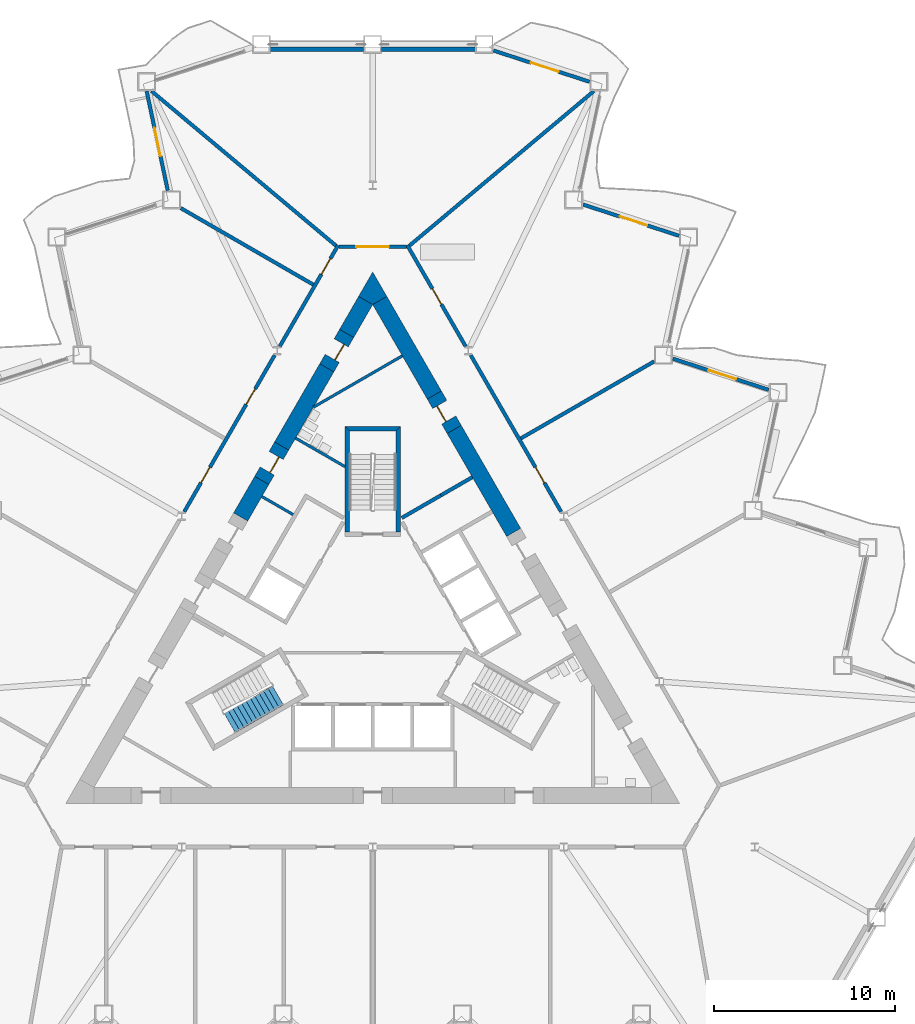
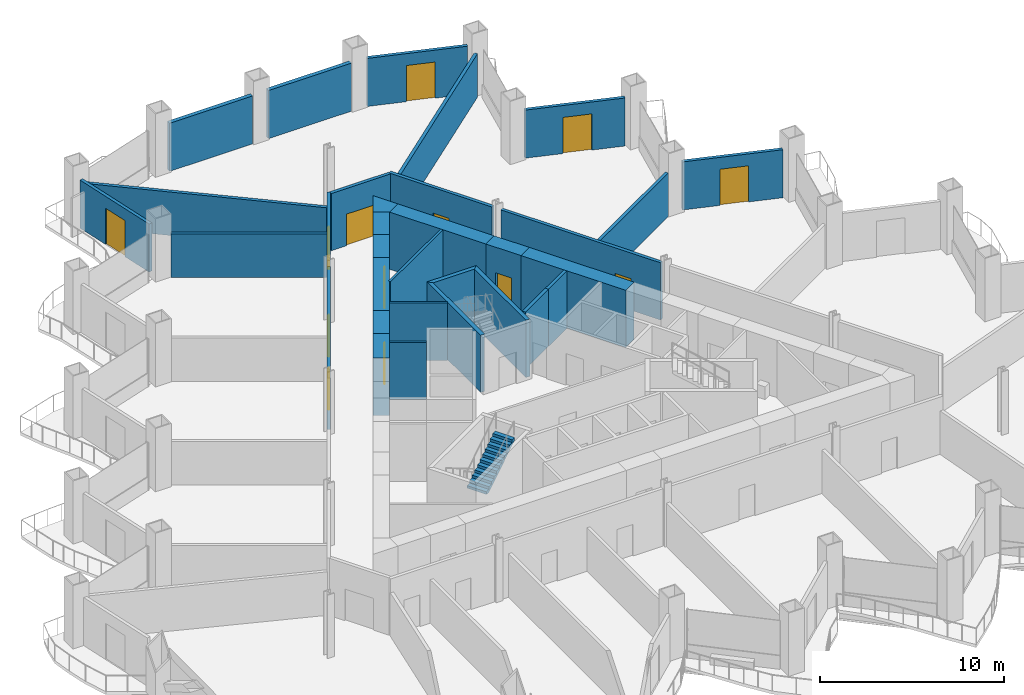
# One storey, part 12 of 21: 32 walls, 13 doors, 1 stair flight, 13 openings, 1 element without a shape of its own.
"""IFC4 building model written with IfcOpenShell, lengths in metres."""

from ifc_helpers import new_model, si_unit, direction, frame, frame_2d, origin, place, context, subcontext, project, spatial, polyline, rectangle, outline, extrude, material, layer, layer_set, type_object, element, fill, aggregate, save


model = new_model("IFC4")

# Units and contexts
model_context = context("Model", 3, precision=1e-05, world=origin(), true_north=direction((0.0, 1.0)))
body_context = subcontext(model_context, "Body", "Model", "MODEL_VIEW")
ifc_project = project(units=[si_unit("LENGTHUNIT", "METRE"), si_unit("AREAUNIT", "SQUARE_METRE"), si_unit("VOLUMEUNIT", "CUBIC_METRE"), si_unit("PLANEANGLEUNIT", "RADIAN"), si_unit("MASSUNIT", "GRAM", prefix="KILO")], contexts=[model_context])

# Site, building, storey
site_placement = place(None, origin())
site = spatial("IfcSite", under=ifc_project, at=site_placement, CompositionType="ELEMENT")
building_placement = place(site_placement, origin())
building = spatial("IfcBuilding", under=site, at=building_placement, Name="Cormorant Prow Tower", CompositionType="ELEMENT")
storey_placement = place(building_placement, frame((0.0, 0.0, 72.0)))
storey = spatial("IfcBuildingStorey", under=building, at=storey_placement, Name="L15", CompositionType="ELEMENT", Elevation=72.0)

# Walls
ifc_material_1 = material(Name="Gypsum board partition")
ifc_layer_1 = layer(ifc_material_1, 0.14990234375)
ifc_layer_set_1 = layer_set([ifc_layer_1], Name="Gypsum board partition")
wall_type_1 = type_object("IfcWallType", Name="Core partition 150", PredefinedType="PARTITIONING", material=ifc_layer_set_1)
wall_1_placement = place(storey_placement, frame((-6.139404296875, 7.196044921875, 0.0), z_axis=(0.0, 0.0, 1.0), x_axis=(0.866035824272, -0.499981950752, 0.0)))
element("IfcWall", 1, at=wall_1_placement, inside=storey, type_object=wall_type_1, Name="Service room partition", PredefinedType="PARTITIONING", context=body_context, shape_type="SweptSolid", body=[
    extrude(rectangle(XDim=2.0087890625, YDim=0.14990234375, at=frame_2d((1.00439453125, 0.0))), origin(), (0.0, 0.0, 1.0), 3.800048828125),
])
wall_2_placement = place(storey_placement, frame((-4.271240234375, 10.431640625, 0.0), z_axis=(0.0, 0.0, 1.0), x_axis=(0.866018279777, -0.50001233894, 0.0)))
element("IfcWall", 2, at=wall_2_placement, inside=storey, type_object=wall_type_1, Name="Service room partition", PredefinedType="PARTITIONING", context=body_context, shape_type="SweptSolid", body=[
    extrude(rectangle(XDim=3.1591796875, YDim=0.14990234375, at=frame_2d((1.57958984375, 0.0))), origin(), (0.0, 0.0, 1.0), 3.800048828125),
])
wall_3_placement = place(storey_placement, frame((1.64111328125, 14.9873046875, 0.0), z_axis=(0.0, 0.0, 1.0), x_axis=(-0.86602253128, -0.50000497529, 0.0)))
element("IfcWall", 3, at=wall_3_placement, inside=storey, type_object=wall_type_1, Name="Service room partition", PredefinedType="PARTITIONING", context=body_context, shape_type="SweptSolid", body=[
    extrude(rectangle(XDim=5.68505859375, YDim=0.14990234375, at=frame_2d((2.842529296875, 0.0))), origin(), (0.0, 0.0, 1.0), 3.800048828125),
])
ifc_material_2 = material(Name="Concrete 8000 psi", Category="concrete")
ifc_layer_2 = layer(ifc_material_2, 0.89990234375)
ifc_layer_set_2 = layer_set([ifc_layer_2], Name="Concrete 8000 psi")
wall_type_2 = type_object("IfcWallType", Name="Core shear wall 900", PredefinedType="SHEAR", material=ifc_layer_set_2)
wall_4_placement = place(storey_placement, frame((7.80712890625, 5.20751953125, 0.0), z_axis=(0.0, 0.0, 1.0), x_axis=(-0.499986664161, 0.866033103098, 0.0)))
element("IfcWall", 4, at=wall_4_placement, inside=storey, type_object=wall_type_2, Name="Core wall", PredefinedType="SHEAR", context=body_context, shape_type="SweptSolid", body=[
    extrude(rectangle(XDim=6.585693359375, YDim=0.89990234375, at=frame_2d((3.29296875, 0.0))), origin(), (0.0, 0.0, 1.0), 3.800048828125),
])
wall_5_placement = place(storey_placement, frame((3.414306640625, 12.816162109375, 0.0), z_axis=(0.0, 0.0, 1.0), x_axis=(-0.500006596359, 0.866021595341, 0.0)))
element("IfcWall", 5, at=wall_5_placement, inside=storey, type_object=wall_type_2, Name="Core wall", PredefinedType="SHEAR", context=body_context, shape_type="SweptSolid", body=[
    extrude(rectangle(XDim=6.04931640625, YDim=0.89990234375, at=frame_2d((3.024658203125, 0.0))), origin(), (0.0, 0.0, 1.0), 3.800048828125),
])
wall_6_placement = place(storey_placement, frame((-2.54345703125, 14.32470703125, 0.0), z_axis=(0.0, 0.0, 1.0), x_axis=(-0.500006859004, -0.866021443701, 0.0)))
element("IfcWall", 6, at=wall_6_placement, inside=storey, type_object=wall_type_2, Name="Core wall", PredefinedType="SHEAR", context=body_context, shape_type="SweptSolid", body=[
    extrude(rectangle(XDim=5.00341796875, YDim=0.89990234375, at=frame_2d((2.501708984375, 0.0))), origin(), (0.0, 0.0, 1.0), 3.800048828125),
])
wall_7_placement = place(storey_placement, frame((-6.14501953125, 8.086181640625, 0.0), z_axis=(0.0, 0.0, 1.0), x_axis=(-0.500026924946, -0.866009858102, 0.0)))
element("IfcWall", 7, at=wall_7_placement, inside=storey, type_object=wall_type_2, Name="Core wall", PredefinedType="SHEAR", context=body_context, shape_type="SweptSolid", body=[
    extrude(rectangle(XDim=2.336669921875, YDim=0.89990234375, at=frame_2d((1.16845703125, 0.0))), origin(), (0.0, 0.0, 1.0), 3.800048828125),
])
wall_8_placement = place(storey_placement, frame((-0.3896484375, 18.054931640625, 0.0), z_axis=(0.0, 0.0, 1.0), x_axis=(-0.500026652407, -0.866010015463, 0.0)))
element("IfcWall", 8, at=wall_8_placement, inside=storey, type_object=wall_type_2, Name="Core wall", PredefinedType="SHEAR", context=body_context, shape_type="SweptSolid", body=[
    extrude(rectangle(XDim=2.107421875, YDim=0.89990234375, at=frame_2d((1.0537109375, 0.0))), origin(), (0.0, 0.0, 1.0), 3.800048828125),
])
wall_9_placement = place(storey_placement, origin())
element("IfcWall", 9, at=wall_9_placement, inside=storey, type_object=wall_type_2, Name="Core wall corner", PredefinedType="SHEAR", context=body_context, shape_type="SweptSolid", body=[
    extrude(outline(polyline([(-0.779296875, 18.27978515625), (0.0, 19.6298828125), (0.779296875, 18.27978515625), (0.0, 17.829833984375), (-0.779296875, 18.27978515625)])), origin(), (0.0, 0.0, 1.0), 3.800048828125),
])

# Wall, opening, door
wall_10_placement = place(storey_placement, frame((-5.045166015625, 9.99169921875, 0.0), z_axis=(0.0, 0.0, 1.0), x_axis=(-0.499898558967, -0.866083962871, 0.0)))
wall_10 = element("IfcWall", 10, at=wall_10_placement, inside=storey, type_object=wall_type_2, Name="Core wall door panel", PredefinedType="SHEAR", context=body_context, shape_type="SweptSolid", body=[
    extrude(rectangle(XDim=2.2001953125, YDim=0.89990234375, at=frame_2d((1.10009765625, 0.0))), origin(), (0.0, 0.0, 1.0), 3.800048828125),
])
opening_1_placement = place(wall_10_placement, frame((0.60009765625, 0.0, 0.0)))
opening_1 = element("IfcOpeningElement", 11, at=opening_1_placement, cuts=wall_10, Name="Opening L15-C22", PredefinedType="OPENING", context=body_context, shape_type="SweptSolid", body=[
    extrude(rectangle(XDim=1.0, YDim=2.10009765625, at=frame_2d((0.5, 1.050048828125))), frame((0.0, 0.4599609375, 0.0), z_axis=(0.0, -1.0, 0.0), x_axis=(1.0, 0.0, 0.0)), (0.0, 0.0, 1.0), 0.919921875),
])
ifc_material_3 = material(Name="Painted steel", Category="steel")
door_type_1 = type_object("IfcDoorType", Name="Service door 1000x2100", OperationType="NOTDEFINED", PredefinedType="DOOR", material=ifc_material_3)
door_1_placement = place(opening_1_placement, origin())
door_1 = element("IfcDoor", 12, at=door_1_placement, inside=storey, type_object=door_type_1, Name="Core door, Housekeeping store", OperationType="SINGLE_SWING_RIGHT", OverallHeight=2.10009765625, OverallWidth=1.0, PredefinedType="DOOR", context=body_context, shape_type="SweptSolid", body=[
    extrude(rectangle(XDim=1.0, YDim=2.10009765625, at=frame_2d((0.5, 1.050048828125))), frame((0.0, 0.205078125, 0.0), z_axis=(0.0, -1.0, 0.0), x_axis=(1.0, 0.0, 0.0)), (0.0, 0.0, 1.0), 0.050048828125),
])
fill(opening_1, door_1)

wall_11_placement = place(storey_placement, frame((4.514404296875, 10.910888671875, 0.0), z_axis=(0.0, 0.0, 1.0), x_axis=(-0.50002983664, 0.866008176907, 0.0)))
wall_11 = element("IfcWall", 13, at=wall_11_placement, inside=storey, type_object=wall_type_2, Name="Core wall door panel", PredefinedType="SHEAR", context=body_context, shape_type="SweptSolid", body=[
    extrude(rectangle(XDim=2.199951171875, YDim=0.89990234375, at=frame_2d((1.10009765625, 0.0))), origin(), (0.0, 0.0, 1.0), 3.800048828125),
])
opening_2_placement = place(wall_11_placement, frame((0.60009765625, 0.0, 0.0)))
opening_2 = element("IfcOpeningElement", 14, at=opening_2_placement, cuts=wall_11, Name="Opening L15-C23", PredefinedType="OPENING", context=body_context, shape_type="SweptSolid", body=[
    extrude(rectangle(XDim=1.0, YDim=2.10009765625, at=frame_2d((0.5, 1.050048828125))), frame((0.0, 0.4599609375, 0.0), z_axis=(0.0, -1.0, 0.0), x_axis=(1.0, 0.0, 0.0)), (0.0, 0.0, 1.0), 0.919921875),
])
door_2_placement = place(opening_2_placement, origin())
door_2 = element("IfcDoor", 15, at=door_2_placement, inside=storey, type_object=door_type_1, Name="Core door, Toilets (women) L15", OperationType="SINGLE_SWING_RIGHT", OverallHeight=2.10009765625, OverallWidth=1.0, PredefinedType="DOOR", context=body_context, shape_type="SweptSolid", body=[
    extrude(rectangle(XDim=1.0, YDim=2.10009765625, at=frame_2d((0.5, 1.050048828125))), frame((0.0, 0.205078125, 0.0), z_axis=(0.0, -1.0, 0.0), x_axis=(1.0, 0.0, 0.0)), (0.0, 0.0, 1.0), 0.050048828125),
])
fill(opening_2, door_2)

wall_12_placement = place(storey_placement, frame((-1.443359375, 16.22998046875, 0.0), z_axis=(0.0, 0.0, 1.0), x_axis=(-0.50002983664, -0.866008176907, 0.0)))
wall_12 = element("IfcWall", 16, at=wall_12_placement, inside=storey, type_object=wall_type_2, Name="Core wall door panel", PredefinedType="SHEAR", context=body_context, shape_type="SweptSolid", body=[
    extrude(rectangle(XDim=2.199951171875, YDim=0.89990234375, at=frame_2d((1.10009765625, 0.0))), origin(), (0.0, 0.0, 1.0), 3.800048828125),
])
opening_3_placement = place(wall_12_placement, frame((0.60009765625, 0.0, 0.0)))
opening_3 = element("IfcOpeningElement", 17, at=opening_3_placement, cuts=wall_12, Name="Opening L15-C24", PredefinedType="OPENING", context=body_context, shape_type="SweptSolid", body=[
    extrude(rectangle(XDim=1.0, YDim=2.10009765625, at=frame_2d((0.5, 1.050048828125))), frame((0.0, 0.4599609375, 0.0), z_axis=(0.0, -1.0, 0.0), x_axis=(1.0, 0.0, 0.0)), (0.0, 0.0, 1.0), 0.919921875),
])
door_3_placement = place(opening_3_placement, origin())
door_3 = element("IfcDoor", 18, at=door_3_placement, inside=storey, type_object=door_type_1, Name="Core door, Linen store", OperationType="SINGLE_SWING_LEFT", OverallHeight=2.10009765625, OverallWidth=1.0, PredefinedType="DOOR", context=body_context, shape_type="SweptSolid", body=[
    extrude(rectangle(XDim=1.0, YDim=2.10009765625, at=frame_2d((0.5, 1.050048828125))), frame((0.0, 0.205078125, 0.0), z_axis=(0.0, -1.0, 0.0), x_axis=(1.0, 0.0, 0.0)), (0.0, 0.0, 1.0), 0.050048828125),
])
fill(opening_3, door_3)

# Wall, openings, doors
ifc_material_4 = material(Name="Gypsum board corridor wall")
ifc_layer_3 = layer(ifc_material_4, 0.199951171875)
ifc_layer_set_3 = layer_set([ifc_layer_3], Name="Gypsum board corridor wall")
wall_type_3 = type_object("IfcWallType", Name="Corridor wall 200", PredefinedType="PARTITIONING", material=ifc_layer_set_3)
wall_13_placement = place(storey_placement, frame((-10.438720703125, 6.349853515625, 0.0), z_axis=(0.0, 0.0, 1.0), x_axis=(0.50001002959, 0.86601961312, 0.0)))
wall_13 = element("IfcWall", 19, at=wall_13_placement, inside=storey, type_object=wall_type_3, Name="Corridor wall", PredefinedType="PARTITIONING", context=body_context, shape_type="SweptSolid", body=[
    extrude(rectangle(XDim=10.018798828125, YDim=0.199951171875, at=frame_2d((5.00927734375, 0.0))), origin(), (0.0, 0.0, 1.0), 3.800048828125),
])
opening_4_placement = place(wall_13_placement, frame((6.86474609375, 0.0, 0.0)))
opening_4 = element("IfcOpeningElement", 20, at=opening_4_placement, cuts=wall_13, Name="Opening L15-F13", PredefinedType="OPENING", context=body_context, shape_type="SweptSolid", body=[
    extrude(rectangle(XDim=1.0, YDim=2.10009765625, at=frame_2d((0.5, 1.050048828125))), frame((0.0, 0.10986328125, 0.0), z_axis=(0.0, -1.0, 0.0), x_axis=(1.0, 0.0, 0.0)), (0.0, 0.0, 1.0), 0.219970703125),
])
opening_5_placement = place(wall_13_placement, frame((1.853515625, 0.0, 0.0)))
opening_5 = element("IfcOpeningElement", 21, at=opening_5_placement, cuts=wall_13, Name="Opening L15-F14", PredefinedType="OPENING", context=body_context, shape_type="SweptSolid", body=[
    extrude(rectangle(XDim=1.0, YDim=2.10009765625, at=frame_2d((0.5, 1.050048828125))), frame((0.0, 0.10986328125, 0.0), z_axis=(0.0, -1.0, 0.0), x_axis=(1.0, 0.0, 0.0)), (0.0, 0.0, 1.0), 0.219970703125),
])
ifc_material_5 = material(Name="Timber door leaf", Category="wood")
door_type_2 = type_object("IfcDoorType", Name="Office door 1000x2100", OperationType="NOTDEFINED", PredefinedType="DOOR", material=ifc_material_5)
door_4_placement = place(opening_4_placement, origin())
door_4 = element("IfcDoor", 22, at=door_4_placement, inside=storey, type_object=door_type_2, Name="Tenant suite door", OperationType="SINGLE_SWING_RIGHT", OverallHeight=2.10009765625, OverallWidth=1.0, PredefinedType="DOOR", context=body_context, shape_type="SweptSolid", body=[
    extrude(rectangle(XDim=1.0, YDim=2.10009765625, at=frame_2d((0.5, 1.050048828125))), frame((0.0, 0.02490234375, 0.0), z_axis=(0.0, -1.0, 0.0), x_axis=(1.0, 0.0, 0.0)), (0.0, 0.0, 1.0), 0.050048828125),
])
fill(opening_4, door_4)
door_5_placement = place(opening_5_placement, origin())
door_5 = element("IfcDoor", 23, at=door_5_placement, inside=storey, type_object=door_type_2, Name="Tenant suite door", OperationType="SINGLE_SWING_LEFT", OverallHeight=2.10009765625, OverallWidth=1.0, PredefinedType="DOOR", context=body_context, shape_type="SweptSolid", body=[
    extrude(rectangle(XDim=1.0, YDim=2.10009765625, at=frame_2d((0.5, 1.050048828125))), frame((0.0, 0.02490234375, 0.0), z_axis=(0.0, -1.0, 0.0), x_axis=(1.0, 0.0, 0.0)), (0.0, 0.0, 1.0), 0.050048828125),
])
fill(opening_5, door_5)

# Wall, opening, door
wall_14_placement = place(storey_placement, frame((5.42919921875, 15.0263671875, 0.0), z_axis=(0.0, 0.0, 1.0), x_axis=(0.50001002959, -0.86601961312, 0.0)))
wall_14 = element("IfcWall", 24, at=wall_14_placement, inside=storey, type_object=wall_type_3, Name="Corridor wall", PredefinedType="PARTITIONING", context=body_context, shape_type="SweptSolid", body=[
    extrude(rectangle(XDim=10.018798828125, YDim=0.199951171875, at=frame_2d((5.00927734375, 0.0))), origin(), (0.0, 0.0, 1.0), 3.800048828125),
])
opening_6_placement = place(wall_14_placement, frame((7.165283203125, 0.0, 0.0)))
opening_6 = element("IfcOpeningElement", 25, at=opening_6_placement, cuts=wall_14, Name="Opening L15-F09", PredefinedType="OPENING", context=body_context, shape_type="SweptSolid", body=[
    extrude(rectangle(XDim=1.0, YDim=2.10009765625, at=frame_2d((0.5, 1.050048828125))), frame((0.0, 0.10986328125, 0.0), z_axis=(0.0, -1.0, 0.0), x_axis=(1.0, 0.0, 0.0)), (0.0, 0.0, 1.0), 0.219970703125),
])
door_6_placement = place(opening_6_placement, origin())
door_6 = element("IfcDoor", 26, at=door_6_placement, inside=storey, type_object=door_type_2, Name="Tenant suite door", OperationType="SINGLE_SWING_RIGHT", OverallHeight=2.10009765625, OverallWidth=1.0, PredefinedType="DOOR", context=body_context, shape_type="SweptSolid", body=[
    extrude(rectangle(XDim=1.0, YDim=2.10009765625, at=frame_2d((0.5, 1.050048828125))), frame((0.0, 0.02490234375, 0.0), z_axis=(0.0, -1.0, 0.0), x_axis=(1.0, 0.0, 0.0)), (0.0, 0.0, 1.0), 0.050048828125),
])
fill(opening_6, door_6)

wall_15_placement = place(storey_placement, frame((1.9130859375, 21.116455078125, 0.0), z_axis=(0.0, 0.0, 1.0), x_axis=(0.500001069878, -0.866024786089, 0.0)))
wall_15 = element("IfcWall", 27, at=wall_15_placement, inside=storey, type_object=wall_type_3, Name="Corridor wall", PredefinedType="PARTITIONING", context=body_context, shape_type="SweptSolid", body=[
    extrude(rectangle(XDim=6.47265625, YDim=0.199951171875, at=frame_2d((3.236328125, 0.0))), origin(), (0.0, 0.0, 1.0), 3.800048828125),
])
opening_7_placement = place(wall_15_placement, frame((2.787109375, 0.0, 0.0)))
opening_7 = element("IfcOpeningElement", 28, at=opening_7_placement, cuts=wall_15, Name="Opening L15-F10", PredefinedType="OPENING", context=body_context, shape_type="SweptSolid", body=[
    extrude(rectangle(XDim=1.0, YDim=2.10009765625, at=frame_2d((0.5, 1.050048828125))), frame((0.0, 0.10986328125, 0.0), z_axis=(0.0, -1.0, 0.0), x_axis=(1.0, 0.0, 0.0)), (0.0, 0.0, 1.0), 0.219970703125),
])
door_7_placement = place(opening_7_placement, origin())
door_7 = element("IfcDoor", 29, at=door_7_placement, inside=storey, type_object=door_type_2, Name="Tenant reception door", OperationType="SINGLE_SWING_RIGHT", OverallHeight=2.10009765625, OverallWidth=1.0, PredefinedType="DOOR", context=body_context, shape_type="SweptSolid", body=[
    extrude(rectangle(XDim=1.0, YDim=2.10009765625, at=frame_2d((0.5, 1.050048828125))), frame((0.0, 0.02490234375, 0.0), z_axis=(0.0, -1.0, 0.0), x_axis=(1.0, 0.0, 0.0)), (0.0, 0.0, 1.0), 0.050048828125),
])
fill(opening_7, door_7)

wall_16_placement = place(storey_placement, frame((-5.1494140625, 15.510986328125, 0.0), z_axis=(0.0, 0.0, 1.0), x_axis=(0.500001069878, 0.866024786089, 0.0)))
wall_16 = element("IfcWall", 30, at=wall_16_placement, inside=storey, type_object=wall_type_3, Name="Corridor wall", PredefinedType="PARTITIONING", context=body_context, shape_type="SweptSolid", body=[
    extrude(rectangle(XDim=6.47265625, YDim=0.199951171875, at=frame_2d((3.236328125, 0.0))), origin(), (0.0, 0.0, 1.0), 3.800048828125),
])
opening_8_placement = place(wall_16_placement, frame((4.61376953125, 0.0, 0.0)))
opening_8 = element("IfcOpeningElement", 31, at=opening_8_placement, cuts=wall_16, Name="Opening L15-F12", PredefinedType="OPENING", context=body_context, shape_type="SweptSolid", body=[
    extrude(rectangle(XDim=1.0, YDim=2.10009765625, at=frame_2d((0.5, 1.050048828125))), frame((0.0, 0.10986328125, 0.0), z_axis=(0.0, -1.0, 0.0), x_axis=(1.0, 0.0, 0.0)), (0.0, 0.0, 1.0), 0.219970703125),
])
door_8_placement = place(opening_8_placement, origin())
door_8 = element("IfcDoor", 32, at=door_8_placement, inside=storey, type_object=door_type_2, Name="Meeting room door", OperationType="SINGLE_SWING_LEFT", OverallHeight=2.10009765625, OverallWidth=1.0, PredefinedType="DOOR", context=body_context, shape_type="SweptSolid", body=[
    extrude(rectangle(XDim=1.0, YDim=2.10009765625, at=frame_2d((0.5, 1.050048828125))), frame((0.0, 0.02490234375, 0.0), z_axis=(0.0, -1.0, 0.0), x_axis=(1.0, 0.0, 0.0)), (0.0, 0.0, 1.0), 0.050048828125),
])
fill(opening_8, door_8)

wall_17_placement = place(storey_placement, frame((-1.863037109375, 21.02978515625, 0.0), z_axis=(0.0, 0.0, 1.0), x_axis=(1.0, 0.0, 0.0)))
wall_17 = element("IfcWall", 33, at=wall_17_placement, inside=storey, type_object=wall_type_3, Name="Corridor wall", PredefinedType="PARTITIONING", context=body_context, shape_type="SweptSolid", body=[
    extrude(rectangle(XDim=3.72607421875, YDim=0.199951171875, at=frame_2d((1.863037109375, 0.0))), origin(), (0.0, 0.0, 1.0), 3.800048828125),
])
opening_9_placement = place(wall_17_placement, frame((0.962890625, 0.0, 0.0)))
opening_9 = element("IfcOpeningElement", 34, at=opening_9_placement, cuts=wall_17, Name="Opening L15-F11", PredefinedType="OPENING", context=body_context, shape_type="SweptSolid", body=[
    extrude(rectangle(XDim=1.800048828125, YDim=2.10009765625, at=frame_2d((0.89990234375, 1.050048828125))), frame((0.0, 0.10986328125, 0.0), z_axis=(0.0, -1.0, 0.0), x_axis=(1.0, 0.0, 0.0)), (0.0, 0.0, 1.0), 0.219970703125),
])
ifc_material_6 = material(Name="Timber door leaf", Category="wood")
door_type_3 = type_object("IfcDoorType", Name="Double door 1800x2100", OperationType="DOUBLE_DOOR_SINGLE_SWING", PredefinedType="DOOR", material=ifc_material_6)
door_9_placement = place(opening_9_placement, origin())
door_9 = element("IfcDoor", 35, at=door_9_placement, inside=storey, type_object=door_type_3, Name="Trading room door", OperationType="DOUBLE_DOOR_SINGLE_SWING", OverallHeight=2.10009765625, OverallWidth=1.800048828125, PredefinedType="DOOR", context=body_context, shape_type="SweptSolid", body=[
    extrude(rectangle(XDim=1.800048828125, YDim=2.10009765625, at=frame_2d((0.89990234375, 1.050048828125))), frame((0.0, 0.02490234375, 0.0), z_axis=(0.0, -1.0, 0.0), x_axis=(1.0, 0.0, 0.0)), (0.0, 0.0, 1.0), 0.050048828125),
])
fill(opening_9, door_9)

# Walls
ifc_material_7 = material(Name="Gypsum board demising wall")
ifc_layer_4 = layer(ifc_material_7, 0.199951171875)
ifc_layer_set_4 = layer_set([ifc_layer_4], Name="Gypsum board demising wall")
wall_type_4 = type_object("IfcWallType", Name="Demising wall 200", PredefinedType="PARTITIONING", material=ifc_layer_set_4)
for number, where, z_axis, x_axis, name in (
    (36, (2.03955078125, 21.093994140625, 0.0), (0.0, 0.0, 1.0), (0.766370381447, 0.642398971388, 0.0), "Demising wall"),
    (37, (-12.257080078125, 29.65869140625, 0.0), (0.0, 0.0, 1.0), (0.766370381447, -0.642398971388, 0.0), "Demising wall"),
):
    element("IfcWall", number, at=place(storey_placement, frame(where, z_axis=z_axis, x_axis=x_axis)), inside=storey, type_object=wall_type_4, Name=name, PredefinedType="PARTITIONING", context=body_context, shape_type="SweptSolid", body=[
        extrude(rectangle(XDim=13.332275390625, YDim=0.199951171875, at=frame_2d((6.666015625, 0.0))), origin(), (0.0, 0.0, 1.0), 2.88525390625),
    ])
wall_18_placement = place(storey_placement, frame((8.20654296875, 10.415771484375, 0.0), z_axis=(0.0, 0.0, 1.0), x_axis=(0.866023490266, 0.500003314297, 0.0)))
element("IfcWall", 38, at=wall_18_placement, inside=storey, type_object=wall_type_4, Name="Demising wall", PredefinedType="PARTITIONING", context=body_context, shape_type="SweptSolid", body=[
    extrude(rectangle(XDim=8.52783203125, YDim=0.199951171875, at=frame_2d((4.263916015625, 0.0))), origin(), (0.0, 0.0, 1.0), 2.88525390625),
])
wall_19_placement = place(storey_placement, frame((-10.625732421875, 23.16796875, 0.0), z_axis=(0.0, 0.0, 1.0), x_axis=(0.866022885879, -0.500004361114, 0.0)))
element("IfcWall", 39, at=wall_19_placement, inside=storey, type_object=wall_type_4, Name="Demising wall", PredefinedType="PARTITIONING", context=body_context, shape_type="SweptSolid", body=[
    extrude(rectangle(XDim=8.47119140625, YDim=0.199951171875, at=frame_2d((4.235595703125, 0.0))), origin(), (0.0, 0.0, 1.0), 2.88525390625),
])
ifc_material_8 = material(Name="Concrete 8000 psi", Category="concrete")
ifc_layer_5 = layer(ifc_material_8, 0.199951171875)
ifc_layer_set_5 = layer_set([ifc_layer_5], Name="Concrete 8000 psi")
wall_type_5 = type_object("IfcWallType", Name="Lift shaft wall 200", PredefinedType="SHEAR", material=ifc_layer_set_5)
wall_20_placement = place(storey_placement, origin())
element("IfcWall", 40, at=wall_20_placement, inside=storey, type_object=wall_type_5, Name="Lift shaft walls, ENE block", PredefinedType="SHEAR", context=body_context, shape_type="SweptSolid", body=[
    extrude(outline(polyline([(1.560546875, 6.09716796875), (3.730712890625, 7.35009765625), (3.830810546875, 7.177001953125), (1.660400390625, 5.923828125), (1.560546875, 6.09716796875)])), origin(), (0.0, 0.0, 1.0), 3.800048828125),
])
wall_21_placement = place(storey_placement, frame((3.78076171875, 7.263427734375, 0.0), z_axis=(0.0, 0.0, 1.0), x_axis=(0.865983199114, 0.50007309351, 0.0)))
element("IfcWall", 41, at=wall_21_placement, inside=storey, type_object=wall_type_5, Name="Store side wall", PredefinedType="SHEAR", context=body_context, shape_type="SweptSolid", body=[
    extrude(rectangle(XDim=2.009033203125, YDim=0.199951171875, at=frame_2d((1.00439453125, 0.0))), origin(), (0.0, 0.0, 1.0), 3.800048828125),
])
ifc_material_9 = material(Name="Concrete 8000 psi", Category="concrete")
ifc_layer_6 = layer(ifc_material_9, 0.25)
ifc_layer_set_6 = layer_set([ifc_layer_6], Name="Concrete 8000 psi")
wall_type_6 = type_object("IfcWallType", Name="Stair wall 250", PredefinedType="SHEAR", material=ifc_layer_set_6)
wall_22_placement = place(storey_placement, origin())
element("IfcWall", 42, at=wall_22_placement, inside=storey, type_object=wall_type_6, Name="Stair ST3 enclosure wall (flank)", PredefinedType="SHEAR", context=body_context, shape_type="SweptSolid", body=[
    extrude(outline(polyline([(1.5439453125, 5.23681640625), (1.5439453125, 11.0869140625), (1.2939453125, 10.8369140625), (1.2939453125, 5.23681640625), (1.5439453125, 5.23681640625)])), origin(), (0.0, 0.0, 1.0), 3.800048828125),
])
wall_23_placement = place(storey_placement, origin())
element("IfcWall", 43, at=wall_23_placement, inside=storey, type_object=wall_type_6, Name="Stair ST3 enclosure wall (end)", PredefinedType="SHEAR", context=body_context, shape_type="SweptSolid", body=[
    extrude(outline(polyline([(1.5439453125, 11.0869140625), (-1.5439453125, 11.0869140625), (-1.2939453125, 10.8369140625), (1.2939453125, 10.8369140625), (1.5439453125, 11.0869140625)])), origin(), (0.0, 0.0, 1.0), 3.800048828125),
])
wall_24_placement = place(storey_placement, origin())
element("IfcWall", 44, at=wall_24_placement, inside=storey, type_object=wall_type_6, Name="Stair ST3 enclosure wall (flank)", PredefinedType="SHEAR", context=body_context, shape_type="SweptSolid", body=[
    extrude(outline(polyline([(-1.2939453125, 10.8369140625), (-1.5439453125, 11.0869140625), (-1.5439453125, 5.23681640625), (-1.2939453125, 5.23681640625), (-1.2939453125, 10.8369140625)])), origin(), (0.0, 0.0, 1.0), 3.800048828125),
])
ifc_material_10 = material(Name="Terracotta", Category="masonry")
ifc_layer_7 = layer(ifc_material_10, 0.25)
ifc_layer_set_7 = layer_set([ifc_layer_7], Name="Terracotta")
wall_type_7 = type_object("IfcWallType", Name="Terracotta bay wall 250", PredefinedType="SOLIDWALL", material=ifc_layer_set_7)
for number, where, z_axis, x_axis, name in (
    (45, (5.7119140625, 31.967041015625, 0.0), (0.0, 0.0, 1.0), (-1.0, 0.0, 0.0), "Terracotta bay wall N00"),
    (46, (-0.5, 31.967041015625, 0.0), (0.0, 0.0, 1.0), (-1.0, 0.0, 0.0), "Terracotta bay wall N01"),
):
    element("IfcWall", number, at=place(storey_placement, frame(where, z_axis=z_axis, x_axis=x_axis)), inside=storey, type_object=wall_type_7, Name=name, PredefinedType="SOLIDWALL", context=body_context, shape_type="SweptSolid", body=[
        extrude(rectangle(XDim=5.2119140625, YDim=0.25, at=frame_2d((2.60595703125, 0.0))), origin(), (0.0, 0.0, 1.0), 3.18896484375),
    ])

# Wall, opening, door
ifc_material_11 = material(Name="Terracotta", Category="masonry")
ifc_layer_8 = layer(ifc_material_11, 0.199951171875)
ifc_layer_set_8 = layer_set([ifc_layer_8], Name="Terracotta")
wall_type_8 = type_object("IfcWallType", Name="Terracotta jamb wall 200", PredefinedType="SOLIDWALL", material=ifc_layer_set_8)
wall_25_placement = place(storey_placement, frame((21.9326171875, 13.107177734375, 0.0), z_axis=(0.0, 0.0, 1.0), x_axis=(-0.951066864375, 0.308985144444, 0.0)))
wall_25 = element("IfcWall", 47, at=wall_25_placement, inside=storey, type_object=wall_type_8, Name="Terracotta jamb wall ENE05", PredefinedType="SOLIDWALL", context=body_context, shape_type="SweptSolid", body=[
    extrude(rectangle(XDim=5.5791015625, YDim=0.199951171875, at=frame_2d((2.78955078125, 0.0))), origin(), (0.0, 0.0, 1.0), 3.18896484375),
])
opening_10_placement = place(wall_25_placement, frame((1.900390625, 0.0, 0.0)))
opening_10 = element("IfcOpeningElement", 48, at=opening_10_placement, cuts=wall_25, Name="Opening ED15.08", PredefinedType="OPENING", context=body_context, shape_type="SweptSolid", body=[
    extrude(rectangle(XDim=1.60009765625, YDim=2.39990234375, at=frame_2d((0.800048828125, 1.199951171875))), frame((0.0, 0.10986328125, 0.0), z_axis=(0.0, -1.0, 0.0), x_axis=(1.0, 0.0, 0.0)), (0.0, 0.0, 1.0), 0.219970703125),
])
ifc_material_12 = material(Name="Aluminium 6063-T6", Category="aluminium")
door_type_4 = type_object("IfcDoorType", Name="Balcony door 1600x2400", OperationType="DOUBLE_DOOR_SINGLE_SWING", PredefinedType="DOOR", material=ifc_material_12)
door_10_placement = place(opening_10_placement, origin())
door_10 = element("IfcDoor", 49, at=door_10_placement, inside=storey, type_object=door_type_4, Name="Balcony door ENE05 ED15.08", OperationType="DOUBLE_DOOR_SINGLE_SWING", OverallHeight=2.39990234375, OverallWidth=1.60009765625, PredefinedType="DOOR", context=body_context, shape_type="SweptSolid", body=[
    extrude(rectangle(XDim=1.60009765625, YDim=2.39990234375, at=frame_2d((0.800048828125, 1.199951171875))), frame((0.0, 0.02490234375, 0.0), z_axis=(0.0, -1.0, 0.0), x_axis=(1.0, 0.0, 0.0)), (0.0, 0.0, 1.0), 0.050048828125),
])
fill(opening_10, door_10)

wall_26_placement = place(storey_placement, frame((16.966552734375, 21.6396484375, 0.0), z_axis=(0.0, 0.0, 1.0), x_axis=(-0.951054004345, 0.309024725255, 0.0)))
wall_26 = element("IfcWall", 50, at=wall_26_placement, inside=storey, type_object=wall_type_8, Name="Terracotta jamb wall ENE07", PredefinedType="SOLIDWALL", context=body_context, shape_type="SweptSolid", body=[
    extrude(rectangle(XDim=5.579345703125, YDim=0.199951171875, at=frame_2d((2.78955078125, 0.0))), origin(), (0.0, 0.0, 1.0), 3.18896484375),
])
opening_11_placement = place(wall_26_placement, frame((1.848876953125, 0.0, 0.0)))
opening_11 = element("IfcOpeningElement", 51, at=opening_11_placement, cuts=wall_26, Name="Opening ED15.09", PredefinedType="OPENING", context=body_context, shape_type="SweptSolid", body=[
    extrude(rectangle(XDim=1.60009765625, YDim=2.39990234375, at=frame_2d((0.800048828125, 1.199951171875))), frame((0.0, 0.10986328125, 0.0), z_axis=(0.0, -1.0, 0.0), x_axis=(1.0, 0.0, 0.0)), (0.0, 0.0, 1.0), 0.219970703125),
])
door_11_placement = place(opening_11_placement, origin())
door_11 = element("IfcDoor", 52, at=door_11_placement, inside=storey, type_object=door_type_4, Name="Balcony door ENE07 ED15.09", OperationType="DOUBLE_DOOR_SINGLE_SWING", OverallHeight=2.39990234375, OverallWidth=1.60009765625, PredefinedType="DOOR", context=body_context, shape_type="SweptSolid", body=[
    extrude(rectangle(XDim=1.60009765625, YDim=2.39990234375, at=frame_2d((0.800048828125, 1.199951171875))), frame((0.0, 0.02490234375, 0.0), z_axis=(0.0, -1.0, 0.0), x_axis=(1.0, 0.0, 0.0)), (0.0, 0.0, 1.0), 0.050048828125),
])
fill(opening_11, door_11)

wall_27_placement = place(storey_placement, frame((12.008056640625, 30.169677734375, 0.0), z_axis=(0.0, 0.0, 1.0), x_axis=(-0.951054939127, 0.309021848358, 0.0)))
wall_27 = element("IfcWall", 53, at=wall_27_placement, inside=storey, type_object=wall_type_8, Name="Terracotta jamb wall ENE09", PredefinedType="SOLIDWALL", context=body_context, shape_type="SweptSolid", body=[
    extrude(rectangle(XDim=5.587158203125, YDim=0.199951171875, at=frame_2d((2.79345703125, 0.0))), origin(), (0.0, 0.0, 1.0), 3.18896484375),
])
opening_12_placement = place(wall_27_placement, frame((1.80517578125, 0.0, 0.0)))
opening_12 = element("IfcOpeningElement", 54, at=opening_12_placement, cuts=wall_27, Name="Opening ED15.10", PredefinedType="OPENING", context=body_context, shape_type="SweptSolid", body=[
    extrude(rectangle(XDim=1.60009765625, YDim=2.39990234375, at=frame_2d((0.800048828125, 1.199951171875))), frame((0.0, 0.10986328125, 0.0), z_axis=(0.0, -1.0, 0.0), x_axis=(1.0, 0.0, 0.0)), (0.0, 0.0, 1.0), 0.219970703125),
])
door_12_placement = place(opening_12_placement, origin())
door_12 = element("IfcDoor", 55, at=door_12_placement, inside=storey, type_object=door_type_4, Name="Balcony door ENE09 ED15.10", OperationType="DOUBLE_DOOR_SINGLE_SWING", OverallHeight=2.39990234375, OverallWidth=1.60009765625, PredefinedType="DOOR", context=body_context, shape_type="SweptSolid", body=[
    extrude(rectangle(XDim=1.60009765625, YDim=2.39990234375, at=frame_2d((0.800048828125, 1.199951171875))), frame((0.0, 0.02490234375, 0.0), z_axis=(0.0, -1.0, 0.0), x_axis=(1.0, 0.0, 0.0)), (0.0, 0.0, 1.0), 0.050048828125),
])
fill(opening_12, door_12)

wall_28_placement = place(storey_placement, frame((-12.521240234375, 29.652099609375, 0.0), z_axis=(0.0, 0.0, 1.0), x_axis=(0.207901831982, -0.978149696242, 0.0)))
wall_28 = element("IfcWall", 56, at=wall_28_placement, inside=storey, type_object=wall_type_8, Name="Terracotta jamb wall WNW01", PredefinedType="SOLIDWALL", context=body_context, shape_type="SweptSolid", body=[
    extrude(rectangle(XDim=5.626220703125, YDim=0.199951171875, at=frame_2d((2.81298828125, 0.0))), origin(), (0.0, 0.0, 1.0), 3.18896484375),
])
opening_13_placement = place(wall_28_placement, frame((2.082763671875, 0.0, 0.0)))
opening_13 = element("IfcOpeningElement", 57, at=opening_13_placement, cuts=wall_28, Name="Opening ED15.11", PredefinedType="OPENING", context=body_context, shape_type="SweptSolid", body=[
    extrude(rectangle(XDim=1.60009765625, YDim=2.39990234375, at=frame_2d((0.800048828125, 1.199951171875))), frame((0.0, 0.10986328125, 0.0), z_axis=(0.0, -1.0, 0.0), x_axis=(1.0, 0.0, 0.0)), (0.0, 0.0, 1.0), 0.219970703125),
])
door_13_placement = place(opening_13_placement, origin())
door_13 = element("IfcDoor", 58, at=door_13_placement, inside=storey, type_object=door_type_4, Name="Balcony door WNW01 ED15.11", OperationType="DOUBLE_DOOR_SINGLE_SWING", OverallHeight=2.39990234375, OverallWidth=1.60009765625, PredefinedType="DOOR", context=body_context, shape_type="SweptSolid", body=[
    extrude(rectangle(XDim=1.60009765625, YDim=2.39990234375, at=frame_2d((0.800048828125, 1.199951171875))), frame((0.0, 0.02490234375, 0.0), z_axis=(0.0, -1.0, 0.0), x_axis=(1.0, 0.0, 0.0)), (0.0, 0.0, 1.0), 0.050048828125),
])
fill(opening_13, door_13)

# Stair, stair flight
ifc_material_13 = material(Name="Exit stair 24 risers")
stair_type = type_object("IfcStairType", Name="Exit stair 24 risers", PredefinedType="HALF_TURN_STAIR", material=ifc_material_13)
stair_placement = place(storey_placement, origin())
stair = element("IfcStair", 59, at=stair_placement, inside=storey, type_object=stair_type, Name="L15 Exit stair ST1", PredefinedType="HALF_TURN_STAIR")
ifc_material_14 = material(Name="Concrete 5000 psi", Category="concrete")
stair_flight_type = type_object("IfcStairFlightType", Name="Stair flight 1219", PredefinedType="STRAIGHT", material=ifc_material_14)
stair_flight_placement = place(storey_placement, frame((-7.916015625, -5.360595703125, 2.10009765625), z_axis=(0.0, 0.0, 1.0), x_axis=(0.866025403784, 0.5, 0.0)))
stair_flight = element("IfcStairFlight", 60, at=stair_flight_placement, type_object=stair_flight_type, Name="ST1 flight 2", NumberOfRisers=12, NumberOfTreads=11, PredefinedType="STRAIGHT", RiserHeight=0.175, TreadLength=0.28, context=body_context, shape_type="SweptSolid", body=[
    extrude(outline(polyline([(0.0, 0.0), (0.0, 0.175048828125), (0.280029296875, 0.175048828125), (0.280029296875, 0.35009765625), (0.56005859375, 0.35009765625), (0.56005859375, 0.52490234375), (0.840087890625, 0.52490234375), (0.840087890625, 0.699951171875), (1.1201171875, 0.699951171875), (1.1201171875, 0.875), (1.39990234375, 0.875), (1.39990234375, 1.050048828125), (1.679931640625, 1.050048828125), (1.679931640625, 1.22509765625), (1.9599609375, 1.22509765625), (1.9599609375, 1.39990234375), (2.239990234375, 1.39990234375), (2.239990234375, 1.574951171875), (2.52001953125, 1.574951171875), (2.52001953125, 1.75), (2.800048828125, 1.75), (2.800048828125, 1.925048828125), (3.080078125, 1.925048828125), (3.080078125, 2.10009765625), (3.080078125, 1.748291015625), (0.28271484375, 0.0), (0.0, 0.0)])), frame((0.0, 0.609375, 0.0), z_axis=(0.0, -1.0, 0.0), x_axis=(1.0, 0.0, 0.0)), (0.0, 0.0, 1.0), 1.218994140625),
])
aggregate(stair, [stair_flight])

save(model, "model.ifc")
